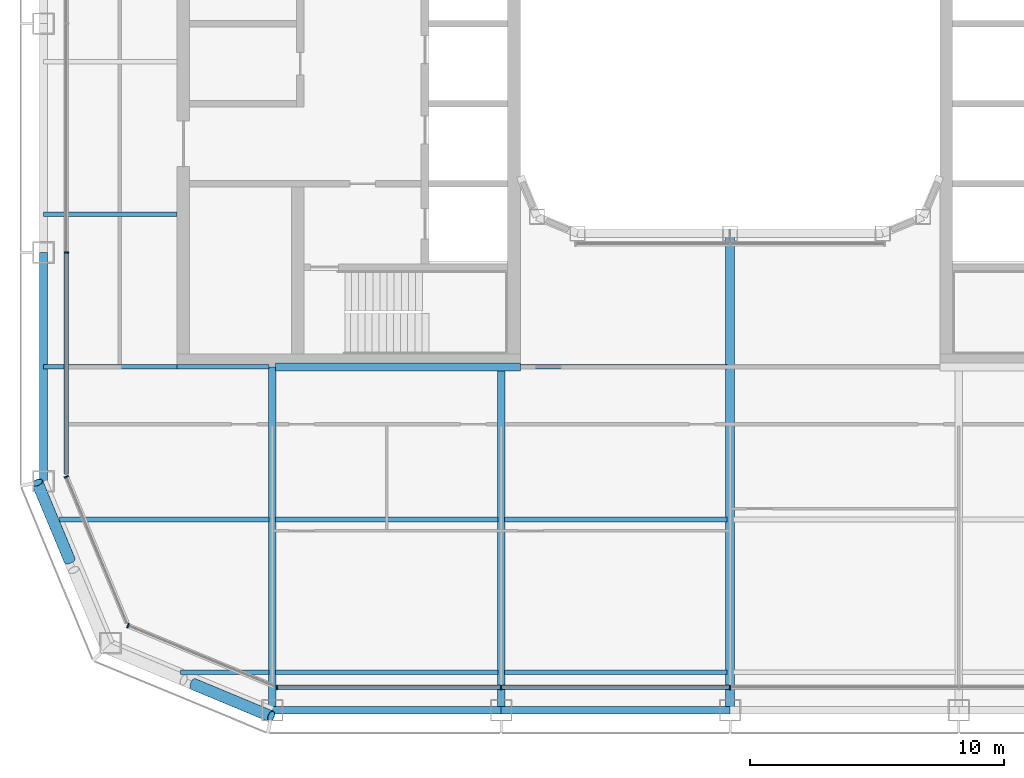
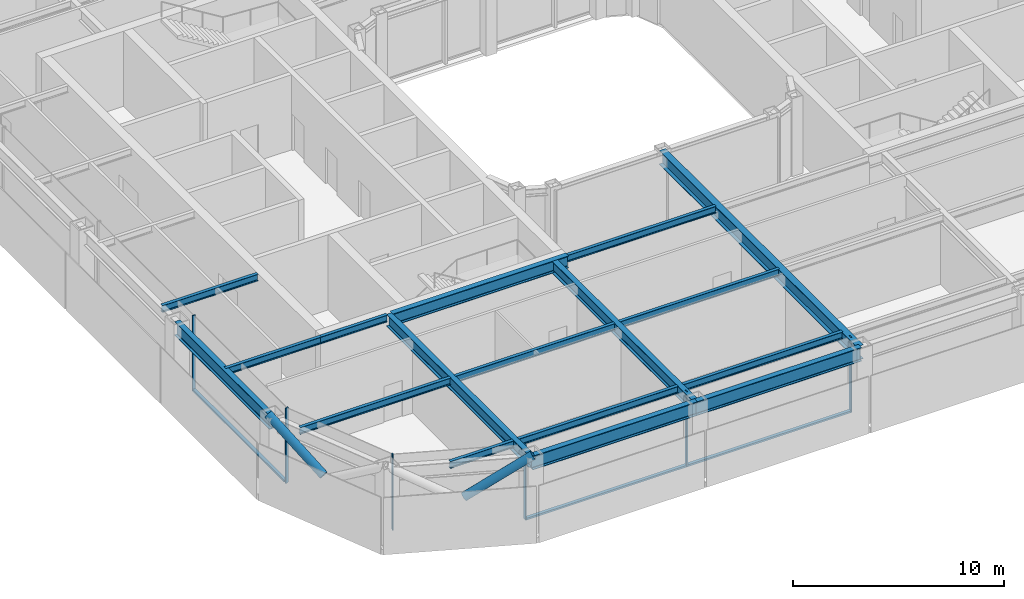
# One storey, part 2 of 23: 17 beams, 11 members, 4 elements without a shape of their own.
"""IFC4 building model written with IfcOpenShell, lengths in metres."""

from ifc_helpers import new_model, si_unit, direction, frame, origin, origin_2d, place, context, subcontext, project, spatial, rectangle, hollow_circle, i_section, extrude, material, layer, layer_set, material_profile, profile_set, type_object, element, aggregate, save


model = new_model("IFC4")

# Units and contexts
model_context = context("Model", 3, precision=1e-05, world=origin(), true_north=direction((0.0, 1.0)))
body_context = subcontext(model_context, "Body", "Model", "MODEL_VIEW")
ifc_project = project(units=[si_unit("LENGTHUNIT", "METRE"), si_unit("AREAUNIT", "SQUARE_METRE"), si_unit("VOLUMEUNIT", "CUBIC_METRE"), si_unit("PLANEANGLEUNIT", "RADIAN"), si_unit("MASSUNIT", "GRAM", prefix="KILO")], contexts=[model_context])

# Site, building, storey
site_placement = place(None, origin())
site = spatial("IfcSite", under=ifc_project, at=site_placement, CompositionType="ELEMENT")
building_placement = place(site_placement, origin())
building = spatial("IfcBuilding", under=site, at=building_placement, Name="Siwar Civic Tower", CompositionType="ELEMENT")
storey_placement = place(building_placement, frame((0.0, 0.0, 224.199951171875)))
storey = spatial("IfcBuildingStorey", under=building, at=storey_placement, Name="L48", CompositionType="ELEMENT", Elevation=224.199951171875)

# Curtain wall, members
ifc_material_1 = material(Name="Aluminium and glass", Category="aluminium")
ifc_layer_1 = layer(ifc_material_1, 0.179931640625)
ifc_layer_set_1 = layer_set([ifc_layer_1], Name="Aluminium and glass")
curtain_wall_type_1 = type_object("IfcCurtainWallType", Name="ENV-CW-C", PredefinedType="NOTDEFINED", material=ifc_layer_set_1)
curtain_wall_1_placement = place(storey_placement, origin())
curtain_wall_1 = element("IfcCurtainWall", 1, at=curtain_wall_1_placement, inside=storey, type_object=curtain_wall_type_1, Name="Curtain wall C S", PredefinedType="NOTDEFINED")
ifc_material_2 = material(Name="Aluminium 6063-T6", Category="aluminium")
ifc_material_profile_1 = material_profile(ifc_material_2, rectangle(XDim=0.179931640625, YDim=0.06005859375, at=origin_2d()), Name="AL 180x60")
ifc_profile_set_1 = profile_set([ifc_material_profile_1], Name="Aluminium 6063-T6")
member_type_1 = type_object("IfcMemberType", Name="ENV-MULLION-C", PredefinedType="MULLION", material=ifc_profile_set_1)
member_1_placement = place(storey_placement, frame((-17.821044921875, -26.10009765625, 0.0), z_axis=(0.0, 0.0, 1.0), x_axis=(0.0, 1.0, 0.0)))
member_1 = element("IfcMember", 2, at=member_1_placement, type_object=member_type_1, Name="Mullion C S 1", PredefinedType="MULLION", context=body_context, shape_type="SweptSolid", body=[
    extrude(rectangle(XDim=0.179931640625, YDim=0.06005859375, at=origin_2d()), origin(), (0.0, 0.0, 1.0), 4.35009765625),
])
member_2_placement = place(storey_placement, frame((-9.0, -26.10009765625, 0.0), z_axis=(0.0, 0.0, 1.0), x_axis=(0.0, 1.0, 0.0)))
member_2 = element("IfcMember", 3, at=member_2_placement, type_object=member_type_1, Name="Mullion C S 2", PredefinedType="MULLION", context=body_context, shape_type="SweptSolid", body=[
    extrude(rectangle(XDim=0.179931640625, YDim=0.06005859375, at=origin_2d()), origin(), (0.0, 0.0, 1.0), 4.35009765625),
])
member_3_placement = place(storey_placement, frame((0.0, -26.10009765625, 0.0), z_axis=(0.0, 0.0, 1.0), x_axis=(0.0, 1.0, 0.0)))
member_3 = element("IfcMember", 4, at=member_3_placement, type_object=member_type_1, Name="Mullion C S 3", PredefinedType="MULLION", context=body_context, shape_type="SweptSolid", body=[
    extrude(rectangle(XDim=0.179931640625, YDim=0.06005859375, at=origin_2d()), origin(), (0.0, 0.0, 1.0), 4.35009765625),
])

# Curtain wall, member
curtain_wall_2_placement = place(storey_placement, origin())
curtain_wall_2 = element("IfcCurtainWall", 5, at=curtain_wall_2_placement, inside=storey, type_object=curtain_wall_type_1, Name="Curtain wall C W", PredefinedType="NOTDEFINED")
member_4_placement = place(storey_placement, frame((-26.10009765625, -9.0, 0.0), z_axis=(0.0, 0.0, 1.0), x_axis=(1.0, 0.0, 0.0)))
member_4 = element("IfcMember", 6, at=member_4_placement, type_object=member_type_1, Name="Mullion C W 4", PredefinedType="MULLION", context=body_context, shape_type="SweptSolid", body=[
    extrude(rectangle(XDim=0.179931640625, YDim=0.06005859375, at=origin_2d()), origin(), (0.0, 0.0, 1.0), 4.35009765625),
])

ifc_material_3 = material(Name="Aluminium clad insulated panel", Category="aluminium")
ifc_layer_2 = layer(ifc_material_3, 0.179931640625)
ifc_layer_set_2 = layer_set([ifc_layer_2], Name="Aluminium clad insulated panel")
curtain_wall_type_2 = type_object("IfcCurtainWallType", Name="ENV-CW-CX", PredefinedType="NOTDEFINED", material=ifc_layer_set_2)
curtain_wall_3_placement = place(storey_placement, origin())
curtain_wall_3 = element("IfcCurtainWall", 7, at=curtain_wall_3_placement, inside=storey, type_object=curtain_wall_type_2, Name="Curtain wall C SW1", PredefinedType="NOTDEFINED")
member_5_placement = place(storey_placement, frame((-26.10009765625, -17.821044921875, 0.0), z_axis=(0.0, 0.0, 1.0), x_axis=(0.923879532511, 0.382683432365, 0.0)))
member_5 = element("IfcMember", 8, at=member_5_placement, type_object=member_type_1, Name="Mullion C SW1 1", PredefinedType="MULLION", context=body_context, shape_type="SweptSolid", body=[
    extrude(rectangle(XDim=0.179931640625, YDim=0.06005859375, at=origin_2d()), origin(), (0.0, 0.0, 1.0), 4.35009765625),
])
aggregate(curtain_wall_3, [member_5])

curtain_wall_4_placement = place(storey_placement, origin())
curtain_wall_4 = element("IfcCurtainWall", 9, at=curtain_wall_4_placement, inside=storey, type_object=curtain_wall_type_2, Name="Curtain wall C SW2", PredefinedType="NOTDEFINED")
member_6_placement = place(storey_placement, frame((-23.675048828125, -23.675048828125, 0.0), z_axis=(0.0, 0.0, 1.0), x_axis=(0.382683432365, 0.923879532511, 0.0)))
member_6 = element("IfcMember", 10, at=member_6_placement, type_object=member_type_1, Name="Mullion C SW2 1", PredefinedType="MULLION", context=body_context, shape_type="SweptSolid", body=[
    extrude(rectangle(XDim=0.179931640625, YDim=0.06005859375, at=origin_2d()), origin(), (0.0, 0.0, 1.0), 4.35009765625),
])
aggregate(curtain_wall_4, [member_6])

# Member
ifc_material_4 = material(Name="Aluminium 6063-T6", Category="aluminium")
ifc_material_profile_2 = material_profile(ifc_material_4, rectangle(XDim=0.179931640625, YDim=0.10009765625, at=origin_2d()), Name="AL 180x100")
ifc_profile_set_2 = profile_set([ifc_material_profile_2], Name="Aluminium 6063-T6")
member_type_2 = type_object("IfcMemberType", Name="ENV-TRANSOM-C", PredefinedType="USERDEFINED", material=ifc_profile_set_2)
member_7_placement = place(storey_placement, frame((-17.791015625, -26.10009765625, 0.050048828125), z_axis=(1.0, 0.0, 0.0), x_axis=(0.0, 1.0, 0.0)))
member_7 = element("IfcMember", 11, at=member_7_placement, type_object=member_type_2, Name="Transom C S 1", ObjectType="TRANSOM", PredefinedType="USERDEFINED", context=body_context, shape_type="SweptSolid", body=[
    extrude(rectangle(XDim=0.179931640625, YDim=0.10009765625, at=origin_2d()), origin(), (0.0, 0.0, 1.0), 8.760986328125),
])

member_8_placement = place(storey_placement, frame((-8.969970703125, -26.10009765625, 0.050048828125), z_axis=(1.0, 0.0, 0.0), x_axis=(0.0, 1.0, 0.0)))
member_8 = element("IfcMember", 12, at=member_8_placement, type_object=member_type_2, Name="Transom C S 2", ObjectType="TRANSOM", PredefinedType="USERDEFINED", context=body_context, shape_type="SweptSolid", body=[
    extrude(rectangle(XDim=0.179931640625, YDim=0.10009765625, at=origin_2d()), origin(), (0.0, 0.0, 1.0), 8.93994140625),
])

aggregate(curtain_wall_1, [member_1, member_2, member_3, member_7, member_8])

member_9_placement = place(storey_placement, frame((-26.10009765625, -9.030029296875, 0.050048828125), z_axis=(0.0, -1.0, 0.0), x_axis=(1.0, 0.0, 0.0)))
member_9 = element("IfcMember", 13, at=member_9_placement, type_object=member_type_2, Name="Transom C W 4", ObjectType="TRANSOM", PredefinedType="USERDEFINED", context=body_context, shape_type="SweptSolid", body=[
    extrude(rectangle(XDim=0.179931640625, YDim=0.10009765625, at=origin_2d()), origin(), (0.0, 0.0, 1.0), 8.68603515625),
])

aggregate(curtain_wall_2, [member_4, member_9])

# Members
ifc_material_5 = material(Name="Steel S355", Category="steel")
ifc_material_profile_3 = material_profile(ifc_material_5, hollow_circle(Radius=0.228515625, WallThickness=0.02001953125, at=origin_2d()), Name="CHS457x20")
ifc_profile_set_3 = profile_set([ifc_material_profile_3], Name="Steel S355")
member_type_3 = type_object("IfcMemberType", Name="STR-BR-CHS457x20", PredefinedType="BRACE", material=ifc_profile_set_3)
for number, where, z_axis, x_axis, name in (
    (14, (-21.10302734375, -25.972900390625, 2.383056640625), (0.777572496853, -0.323895306243, 0.538955325357), (0.38452107079, 0.92311621485, 0.0), "L48/brc/CSW1-8-0-3"),
    (15, (-25.972900390625, -21.10302734375, 2.383056640625), (-0.323895306243, 0.777572496853, 0.538955325357), (-0.92311621485, -0.38452107079, 0.0), "L48/brc/CSW1-8-0-5"),
):
    element("IfcMember", number, at=place(storey_placement, frame(where, z_axis=z_axis, x_axis=x_axis)), inside=storey, type_object=member_type_3, Name=name, PredefinedType="BRACE", context=body_context, shape_type="SweptSolid", body=[
        extrude(hollow_circle(Radius=0.228515625, WallThickness=0.02001953125, at=origin_2d()), origin(), (0.0, 0.0, 1.0), 3.927978515625),
    ])

# Beams
ifc_material_6 = material(Name="Steel S355", Category="steel")
ifc_material_profile_4 = material_profile(ifc_material_6, i_section(OverallWidth=0.179931640625, OverallDepth=0.39990234375, WebThickness=0.008544921875, FlangeThickness=0.013427734375, FilletRadius=0.02099609375, at=origin_2d()), Name="IPE400")
ifc_profile_set_4 = profile_set([ifc_material_profile_4], Name="Steel S355")
beam_type_1 = type_object("IfcBeamType", Name="STR-FB-IPE400", PredefinedType="JOIST", material=ifc_profile_set_4)
beam_1_placement = place(storey_placement, frame((-21.621337890625, -25.5, 4.150146484375), z_axis=(1.0, 0.0, 0.0), x_axis=(0.0, 1.0, 0.0)))
element("IfcBeam", 16, at=beam_1_placement, inside=storey, type_object=beam_type_1, Name="L48/bm/F001", PredefinedType="JOIST", context=body_context, shape_type="SweptSolid", body=[
    extrude(i_section(OverallWidth=0.179931640625, OverallDepth=0.39990234375, WebThickness=0.008544921875, FlangeThickness=0.013427734375, FilletRadius=0.02099609375, at=origin_2d()), origin(), (0.0, 0.0, 1.0), 3.491455078125),
])
for number, where, z_axis, x_axis, name in (
    (17, (-17.8701171875, -25.5, 4.150146484375), (1.0, 0.0, 0.0), (0.0, 1.0, 0.0), "L48/bm/F002"),
    (18, (-8.8701171875, -25.5, 4.150146484375), (1.0, 0.0, 0.0), (0.0, 1.0, 0.0), "L48/bm/F003"),
):
    element("IfcBeam", number, at=place(storey_placement, frame(where, z_axis=z_axis, x_axis=x_axis)), inside=storey, type_object=beam_type_1, Name=name, PredefinedType="JOIST", context=body_context, shape_type="SweptSolid", body=[
        extrude(i_section(OverallWidth=0.179931640625, OverallDepth=0.39990234375, WebThickness=0.008544921875, FlangeThickness=0.013427734375, FilletRadius=0.02099609375, at=origin_2d()), origin(), (0.0, 0.0, 1.0), 8.740234375),
    ])
beam_2_placement = place(storey_placement, frame((-26.378662109375, -19.5, 4.150146484375), z_axis=(1.0, 0.0, 0.0), x_axis=(0.0, 1.0, 0.0)))
element("IfcBeam", 19, at=beam_2_placement, inside=storey, type_object=beam_type_1, Name="L48/bm/F007", PredefinedType="JOIST", context=body_context, shape_type="SweptSolid", body=[
    extrude(i_section(OverallWidth=0.179931640625, OverallDepth=0.39990234375, WebThickness=0.008544921875, FlangeThickness=0.013427734375, FilletRadius=0.02099609375, at=origin_2d()), origin(), (0.0, 0.0, 1.0), 8.248779296875),
])
for number, where, z_axis, x_axis, name in (
    (20, (-17.8701171875, -19.5, 4.150146484375), (1.0, 0.0, 0.0), (0.0, 1.0, 0.0), "L48/bm/F008"),
    (21, (-8.8701171875, -19.5, 4.150146484375), (1.0, 0.0, 0.0), (0.0, 1.0, 0.0), "L48/bm/F009"),
):
    element("IfcBeam", number, at=place(storey_placement, frame(where, z_axis=z_axis, x_axis=x_axis)), inside=storey, type_object=beam_type_1, Name=name, PredefinedType="JOIST", context=body_context, shape_type="SweptSolid", body=[
        extrude(i_section(OverallWidth=0.179931640625, OverallDepth=0.39990234375, WebThickness=0.008544921875, FlangeThickness=0.013427734375, FilletRadius=0.02099609375, at=origin_2d()), origin(), (0.0, 0.0, 1.0), 8.740234375),
    ])
beam_3_placement = place(storey_placement, frame((-27.0, -13.5, 4.150146484375), z_axis=(1.0, 0.0, 0.0), x_axis=(0.0, 1.0, 0.0)))
element("IfcBeam", 22, at=beam_3_placement, inside=storey, type_object=beam_type_1, Name="L48/bm/F013", PredefinedType="JOIST", context=body_context, shape_type="SweptSolid", body=[
    extrude(i_section(OverallWidth=0.179931640625, OverallDepth=0.39990234375, WebThickness=0.008544921875, FlangeThickness=0.013427734375, FilletRadius=0.02099609375, at=origin_2d()), origin(), (0.0, 0.0, 1.0), 5.25),
])
beam_4_placement = place(storey_placement, frame((-21.75, -13.5, 4.150146484375), z_axis=(1.0, 0.0, 0.0), x_axis=(0.0, 1.0, 0.0)))
element("IfcBeam", 23, at=beam_4_placement, inside=storey, type_object=beam_type_1, Name="L48/bm/F014", PredefinedType="JOIST", context=body_context, shape_type="SweptSolid", body=[
    extrude(i_section(OverallWidth=0.179931640625, OverallDepth=0.39990234375, WebThickness=0.008544921875, FlangeThickness=0.013427734375, FilletRadius=0.02099609375, at=origin_2d()), origin(), (0.0, 0.0, 1.0), 3.6201171875),
])
beam_5_placement = place(storey_placement, frame((-8.25, -13.5, 4.150146484375), z_axis=(1.0, 0.0, 0.0), x_axis=(0.0, 1.0, 0.0)))
element("IfcBeam", 24, at=beam_5_placement, inside=storey, type_object=beam_type_1, Name="L48/bm/F016", PredefinedType="JOIST", context=body_context, shape_type="SweptSolid", body=[
    extrude(i_section(OverallWidth=0.179931640625, OverallDepth=0.39990234375, WebThickness=0.008544921875, FlangeThickness=0.013427734375, FilletRadius=0.02099609375, at=origin_2d()), origin(), (0.0, 0.0, 1.0), 8.1201171875),
])
beam_6_placement = place(storey_placement, frame((-27.0, -7.5, 4.150146484375), z_axis=(1.0, 0.0, 0.0), x_axis=(0.0, 1.0, 0.0)))
element("IfcBeam", 25, at=beam_6_placement, inside=storey, type_object=beam_type_1, Name="L48/bm/F021", PredefinedType="JOIST", context=body_context, shape_type="SweptSolid", body=[
    extrude(i_section(OverallWidth=0.179931640625, OverallDepth=0.39990234375, WebThickness=0.008544921875, FlangeThickness=0.013427734375, FilletRadius=0.02099609375, at=origin_2d()), origin(), (0.0, 0.0, 1.0), 5.25),
])
ifc_material_7 = material(Name="Steel S355", Category="steel")
ifc_material_profile_5 = material_profile(ifc_material_7, i_section(OverallWidth=0.300048828125, OverallDepth=0.699951171875, WebThickness=0.01708984375, FlangeThickness=0.031982421875, FilletRadius=0.027099609375, at=origin_2d()), Name="HEB700")
ifc_profile_set_5 = profile_set([ifc_material_profile_5], Name="Steel S355")
beam_type_2 = type_object("IfcBeamType", Name="STR-PG-HEB700", PredefinedType="BEAM", material=ifc_profile_set_5)
for number, where, z_axis, x_axis, name in (
    (26, (-18.0, -27.0, 4.0), (0.0, 1.0, 0.0), (-1.0, 0.0, 0.0), "L48/bm/G01"),
    (27, (-9.0, -27.0, 4.0), (0.0, 1.0, 0.0), (-1.0, 0.0, 0.0), "L48/bm/G03"),
):
    element("IfcBeam", number, at=place(storey_placement, frame(where, z_axis=z_axis, x_axis=x_axis)), inside=storey, type_object=beam_type_2, Name=name, PredefinedType="BEAM", context=body_context, shape_type="SweptSolid", body=[
        extrude(i_section(OverallWidth=0.300048828125, OverallDepth=0.699951171875, WebThickness=0.01708984375, FlangeThickness=0.031982421875, FilletRadius=0.027099609375, at=origin_2d()), origin(), (0.0, 0.0, 1.0), 13.5),
    ])
beam_7_placement = place(storey_placement, frame((-17.8701171875, -13.5, 4.0), z_axis=(1.0, 0.0, 0.0), x_axis=(0.0, 1.0, 0.0)))
element("IfcBeam", 28, at=beam_7_placement, inside=storey, type_object=beam_type_2, Name="L48/bm/F015", PredefinedType="BEAM", context=body_context, shape_type="SweptSolid", body=[
    extrude(i_section(OverallWidth=0.300048828125, OverallDepth=0.699951171875, WebThickness=0.01708984375, FlangeThickness=0.031982421875, FilletRadius=0.027099609375, at=origin_2d()), origin(), (0.0, 0.0, 1.0), 9.6201171875),
])
ifc_material_8 = material(Name="Steel S355", Category="steel")
ifc_material_profile_6 = material_profile(ifc_material_8, i_section(OverallWidth=0.360107421875, OverallDepth=0.800048828125, WebThickness=0.013916015625, FlangeThickness=0.031982421875, at=origin_2d()), Name="PG800x360x14x32")
ifc_profile_set_6 = profile_set([ifc_material_profile_6], Name="Steel S355")
beam_type_3 = type_object("IfcBeamType", Name="STR-PG-PG800x360x14x32", PredefinedType="BEAM", material=ifc_profile_set_6)
beam_8_placement = place(storey_placement, frame((0.0, -27.0, 3.949951171875), z_axis=(0.0, 1.0, 0.0), x_axis=(-1.0, 0.0, 0.0)))
element("IfcBeam", 29, at=beam_8_placement, inside=storey, type_object=beam_type_3, Name="L48/bm/G05", PredefinedType="BEAM", context=body_context, shape_type="SweptSolid", body=[
    extrude(i_section(OverallWidth=0.360107421875, OverallDepth=0.800048828125, WebThickness=0.013916015625, FlangeThickness=0.031982421875, at=origin_2d()), origin(), (0.0, 0.0, 1.0), 18.75),
])
ifc_material_9 = material(Name="Steel S355", Category="steel")
ifc_material_profile_7 = material_profile(ifc_material_9, i_section(OverallWidth=0.300048828125, OverallDepth=0.800048828125, WebThickness=0.017578125, FlangeThickness=0.032958984375, FilletRadius=0.030029296875, at=origin_2d()), Name="HEB800")
ifc_profile_set_7 = profile_set([ifc_material_profile_7], Name="Steel S355")
beam_type_4 = type_object("IfcBeamType", Name="STR-SB-HEB800", PredefinedType="BEAM", material=ifc_profile_set_7)
for number, where, z_axis, x_axis, name in (
    (30, (-18.0, -27.0, 3.949951171875), (1.0, 0.0, 0.0), (0.0, 1.0, 0.0), "L48/bm/SS-0"),
    (31, (-9.0, -27.0, 3.949951171875), (1.0, 0.0, 0.0), (0.0, 1.0, 0.0), "L48/bm/SS-1"),
    (32, (-27.0, -9.0, 3.949951171875), (0.0, -1.0, 0.0), (1.0, 0.0, 0.0), "L48/bm/SW-3"),
):
    element("IfcBeam", number, at=place(storey_placement, frame(where, z_axis=z_axis, x_axis=x_axis)), inside=storey, type_object=beam_type_4, Name=name, PredefinedType="BEAM", context=body_context, shape_type="SweptSolid", body=[
        extrude(i_section(OverallWidth=0.300048828125, OverallDepth=0.800048828125, WebThickness=0.017578125, FlangeThickness=0.032958984375, FilletRadius=0.030029296875, at=origin_2d()), origin(), (0.0, 0.0, 1.0), 9.0),
    ])

save(model, "model.ifc")
